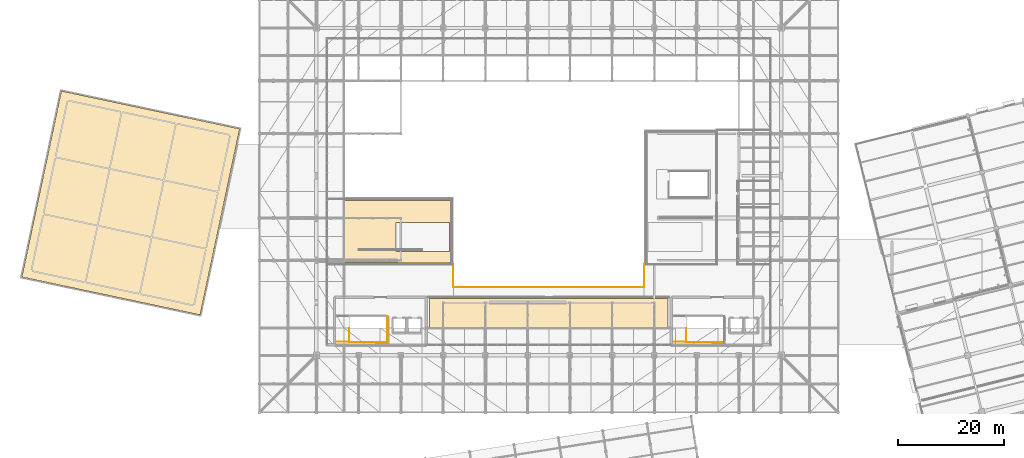
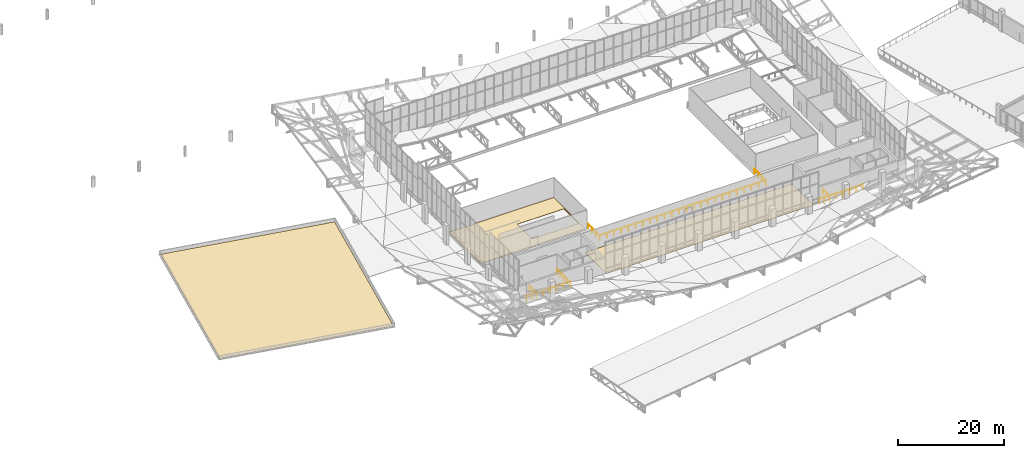
# One storey, part 130 of 137: 8 railings, 3 coverings.
"""IFC4 building model written with IfcOpenShell, lengths in metres."""

from ifc_helpers import new_model, si_unit, direction, frame, origin, origin_2d, place, context, subcontext, project, spatial, polyline, rectangle, outline, extrude, material, layer, layer_set, type_object, element, save


model = new_model("IFC4")

# Units and contexts
model_context = context("Model", 3, precision=1e-05, world=origin(), true_north=direction((0.0, 1.0)))
body_context = subcontext(model_context, "Body", "Model", "MODEL_VIEW")
ifc_project = project(units=[si_unit("LENGTHUNIT", "METRE"), si_unit("AREAUNIT", "SQUARE_METRE"), si_unit("VOLUMEUNIT", "CUBIC_METRE"), si_unit("PLANEANGLEUNIT", "RADIAN"), si_unit("MASSUNIT", "GRAM", prefix="KILO")], contexts=[model_context])

# Site, building, storey
site_placement = place(None, origin())
site = spatial("IfcSite", under=ifc_project, at=site_placement, CompositionType="ELEMENT")
building_placement = place(site_placement, origin())
building = spatial("IfcBuilding", under=site, at=building_placement, Name="Khorjan Park Terminus", CompositionType="ELEMENT")
storey_placement = place(building_placement, frame((0.0, 0.0, 11.4)))
storey = spatial("IfcBuildingStorey", under=building, at=storey_placement, Name="L02", CompositionType="ELEMENT", Elevation=11.4)

# Coverings
ifc_material_1 = material(Name="Polished Desert Limestone Terrazzo", Category="masonry")
ifc_layer_1 = layer(ifc_material_1, 0.035)
ifc_layer_set_1 = layer_set([ifc_layer_1], Name="Polished Desert Limestone Terrazzo")
covering_type_1 = type_object("IfcCoveringType", Name="CV-FLR-TRZ", PredefinedType="FLOORING", material=ifc_layer_set_1)
covering_1_placement = place(storey_placement, origin())
element("IfcCovering", 1, at=covering_1_placement, inside=storey, type_object=covering_type_1, Name="Architectural floor finish FF-TRZ (L02-SLNG)", PredefinedType="FLOORING", context=body_context, shape_type="SweptSolid", body=[
    extrude(outline(polyline([(114.55, 36.75), (114.55, 28.65), (69.45, 28.65), (69.45, 36.75), (114.55, 36.75)])), origin(), (0.0, 0.0, 1.0), 0.035),
])
covering_2_placement = place(storey_placement, origin())
element("IfcCovering", 2, at=covering_2_placement, inside=storey, type_object=covering_type_1, Name="Architectural floor finish FF-TRZ (L02-VIPW)", PredefinedType="FLOORING", context=body_context, shape_type="SweptSolid", body=[
    extrude(outline(polyline([(73.35, 55.35), (73.35, 43.45), (50.65, 43.45), (50.65, 55.35), (73.35, 55.35)]), holes=[polyline([(73.17, 45.63), (73.17, 51.17), (63.03, 51.17), (63.03, 45.63), (73.17, 45.63)])]), origin(), (0.0, 0.0, 1.0), 0.035),
])
ifc_material_2 = material(Name="TPO Cool-Roof Membrane")
ifc_layer_2 = layer(ifc_material_2, 0.04)
ifc_layer_set_2 = layer_set([ifc_layer_2], Name="TPO Cool-Roof Membrane")
covering_type_2 = type_object("IfcCoveringType", Name="CV-RF-MEM", PredefinedType="ROOFING", material=ifc_layer_set_2)
covering_3_placement = place(storey_placement, frame((0.0, 0.0, 0.15)))
element("IfcCovering", 3, at=covering_3_placement, inside=storey, type_object=covering_type_2, Name="Pavilion cool-roof waterproofing membrane RF-MB1", PredefinedType="ROOFING", context=body_context, shape_type="SweptSolid", body=[
    extrude(outline(polyline([(-7.7791, 40.8446), (25.967, 33.6717), (33.4518, 68.885), (-0.2943, 76.058), (-7.7791, 40.8446)])), origin(), (0.0, 0.0, 1.0), 0.04),
])

# Railings
ifc_material_3 = material(Name="Steel S355", Category="steel")
railing_type_1 = type_object("IfcRailingType", Name="GR-112", PredefinedType="GUARDRAIL", material=ifc_material_3)
railing_1_placement = place(storey_placement, frame((54.21, 28.55, 0.0)))
element("IfcRailing", 4, at=railing_1_placement, inside=storey, type_object=railing_type_1, Name="L02 ST-01 top well guard 1", PredefinedType="GUARDRAIL", context=body_context, shape_type="SweptSolid", body=[
    extrude(rectangle(XDim=0.048, YDim=0.048, at=origin_2d()), frame((0.0, 0.0, 1.096), z_axis=(0.0, 1.0, 0.0), x_axis=(-1.0, 0.0, 0.0)), (0.0, 0.0, 1.0), 2.56),
    extrude(rectangle(XDim=0.042, YDim=0.042, at=origin_2d()), origin(), (0.0, 0.0, 1.0), 1.072),
    extrude(rectangle(XDim=0.042, YDim=0.042, at=origin_2d()), frame((0.0, 1.28, 0.0)), (0.0, 0.0, 1.0), 1.072),
    extrude(rectangle(XDim=0.042, YDim=0.042, at=origin_2d()), frame((0.0, 2.56, 0.0)), (0.0, 0.0, 1.0), 1.072),
])
railing_2_placement = place(storey_placement, frame((54.16, 28.5, 0.0)))
element("IfcRailing", 5, at=railing_2_placement, inside=storey, type_object=railing_type_1, Name="L02 ST-01 top well guard 2", PredefinedType="GUARDRAIL", context=body_context, shape_type="SweptSolid", body=[
    extrude(rectangle(XDim=0.048, YDim=0.048, at=origin_2d()), frame((0.0, 0.0, 1.096), z_axis=(1.0, 0.0, 0.0), x_axis=(0.0, 1.0, 0.0)), (0.0, 0.0, 1.0), 7.34),
    extrude(rectangle(XDim=0.042, YDim=0.042, at=origin_2d()), origin(), (0.0, 0.0, 1.0), 1.072),
    extrude(rectangle(XDim=0.042, YDim=0.042, at=origin_2d()), frame((1.468, 0.0, 0.0)), (0.0, 0.0, 1.0), 1.072),
    extrude(rectangle(XDim=0.042, YDim=0.042, at=origin_2d()), frame((2.936, 0.0, 0.0)), (0.0, 0.0, 1.0), 1.072),
    extrude(rectangle(XDim=0.042, YDim=0.042, at=origin_2d()), frame((4.404, 0.0, 0.0)), (0.0, 0.0, 1.0), 1.072),
    extrude(rectangle(XDim=0.042, YDim=0.042, at=origin_2d()), frame((5.872, 0.0, 0.0)), (0.0, 0.0, 1.0), 1.072),
    extrude(rectangle(XDim=0.042, YDim=0.042, at=origin_2d()), frame((7.34, 0.0, 0.0)), (0.0, 0.0, 1.0), 1.072),
])
railing_3_placement = place(storey_placement, frame((61.45, 28.45, 0.0)))
element("IfcRailing", 6, at=railing_3_placement, inside=storey, type_object=railing_type_1, Name="L02 ST-01 top well guard 3", PredefinedType="GUARDRAIL", context=body_context, shape_type="SweptSolid", body=[
    extrude(rectangle(XDim=0.048, YDim=0.048, at=origin_2d()), frame((0.0, 0.0, 1.096), z_axis=(0.0, 1.0, 0.0), x_axis=(-1.0, 0.0, 0.0)), (0.0, 0.0, 1.0), 4.96),
    extrude(rectangle(XDim=0.042, YDim=0.042, at=origin_2d()), origin(), (0.0, 0.0, 1.0), 1.072),
    extrude(rectangle(XDim=0.042, YDim=0.042, at=origin_2d()), frame((0.0, 1.24, 0.0)), (0.0, 0.0, 1.0), 1.072),
    extrude(rectangle(XDim=0.042, YDim=0.042, at=origin_2d()), frame((0.0, 2.48, 0.0)), (0.0, 0.0, 1.0), 1.072),
    extrude(rectangle(XDim=0.042, YDim=0.042, at=origin_2d()), frame((0.0, 3.72, 0.0)), (0.0, 0.0, 1.0), 1.072),
    extrude(rectangle(XDim=0.042, YDim=0.042, at=origin_2d()), frame((0.0, 4.96, 0.0)), (0.0, 0.0, 1.0), 1.072),
])
railing_4_placement = place(storey_placement, frame((52.0, 28.6, 0.0)))
element("IfcRailing", 7, at=railing_4_placement, inside=storey, type_object=railing_type_1, Name="L02 ST-01 top well guard 4", PredefinedType="GUARDRAIL", context=body_context, shape_type="SweptSolid", body=[
    extrude(rectangle(XDim=0.048, YDim=0.048, at=origin_2d()), frame((0.0, 0.0, 1.096), z_axis=(1.0, 0.0, 0.0), x_axis=(0.0, 1.0, 0.0)), (0.0, 0.0, 1.0), 2.26),
    extrude(rectangle(XDim=0.042, YDim=0.042, at=origin_2d()), origin(), (0.0, 0.0, 1.0), 1.072),
    extrude(rectangle(XDim=0.042, YDim=0.042, at=origin_2d()), frame((1.13, 0.0, 0.0)), (0.0, 0.0, 1.0), 1.072),
    extrude(rectangle(XDim=0.042, YDim=0.042, at=origin_2d()), frame((2.26, 0.0, 0.0)), (0.0, 0.0, 1.0), 1.072),
])
railing_5_placement = place(storey_placement, frame((118.01, 28.55, 0.0)))
element("IfcRailing", 8, at=railing_5_placement, inside=storey, type_object=railing_type_1, Name="L02 ST-02 top well guard 1", PredefinedType="GUARDRAIL", context=body_context, shape_type="SweptSolid", body=[
    extrude(rectangle(XDim=0.048, YDim=0.048, at=origin_2d()), frame((0.0, 0.0, 1.096), z_axis=(0.0, 1.0, 0.0), x_axis=(-1.0, 0.0, 0.0)), (0.0, 0.0, 1.0), 2.56),
    extrude(rectangle(XDim=0.042, YDim=0.042, at=origin_2d()), origin(), (0.0, 0.0, 1.0), 1.072),
    extrude(rectangle(XDim=0.042, YDim=0.042, at=origin_2d()), frame((0.0, 1.28, 0.0)), (0.0, 0.0, 1.0), 1.072),
    extrude(rectangle(XDim=0.042, YDim=0.042, at=origin_2d()), frame((0.0, 2.56, 0.0)), (0.0, 0.0, 1.0), 1.072),
])
railing_6_placement = place(storey_placement, frame((117.96, 28.5, 0.0)))
element("IfcRailing", 9, at=railing_6_placement, inside=storey, type_object=railing_type_1, Name="L02 ST-02 top well guard 2", PredefinedType="GUARDRAIL", context=body_context, shape_type="SweptSolid", body=[
    extrude(rectangle(XDim=0.048, YDim=0.048, at=origin_2d()), frame((0.0, 0.0, 1.096), z_axis=(1.0, 0.0, 0.0), x_axis=(0.0, 1.0, 0.0)), (0.0, 0.0, 1.0), 7.34),
    extrude(rectangle(XDim=0.042, YDim=0.042, at=origin_2d()), origin(), (0.0, 0.0, 1.0), 1.072),
    extrude(rectangle(XDim=0.042, YDim=0.042, at=origin_2d()), frame((1.468, 0.0, 0.0)), (0.0, 0.0, 1.0), 1.072),
    extrude(rectangle(XDim=0.042, YDim=0.042, at=origin_2d()), frame((2.936, 0.0, 0.0)), (0.0, 0.0, 1.0), 1.072),
    extrude(rectangle(XDim=0.042, YDim=0.042, at=origin_2d()), frame((4.404, 0.0, 0.0)), (0.0, 0.0, 1.0), 1.072),
    extrude(rectangle(XDim=0.042, YDim=0.042, at=origin_2d()), frame((5.872, 0.0, 0.0)), (0.0, 0.0, 1.0), 1.072),
    extrude(rectangle(XDim=0.042, YDim=0.042, at=origin_2d()), frame((7.34, 0.0, 0.0)), (0.0, 0.0, 1.0), 1.072),
])
railing_7_placement = place(storey_placement, frame((115.8, 28.6, 0.0)))
element("IfcRailing", 10, at=railing_7_placement, inside=storey, type_object=railing_type_1, Name="L02 ST-02 top well guard 4", PredefinedType="GUARDRAIL", context=body_context, shape_type="SweptSolid", body=[
    extrude(rectangle(XDim=0.048, YDim=0.048, at=origin_2d()), frame((0.0, 0.0, 1.096), z_axis=(1.0, 0.0, 0.0), x_axis=(0.0, 1.0, 0.0)), (0.0, 0.0, 1.0), 2.26),
    extrude(rectangle(XDim=0.042, YDim=0.042, at=origin_2d()), origin(), (0.0, 0.0, 1.0), 1.072),
    extrude(rectangle(XDim=0.042, YDim=0.042, at=origin_2d()), frame((1.13, 0.0, 0.0)), (0.0, 0.0, 1.0), 1.072),
    extrude(rectangle(XDim=0.042, YDim=0.042, at=origin_2d()), frame((2.26, 0.0, 0.0)), (0.0, 0.0, 1.0), 1.072),
])
ifc_material_4 = material(Name="Anodized Bronze Aluminium & Laminated Glass", Category="aluminium")
railing_type_2 = type_object("IfcRailingType", Name="GR-BAL", PredefinedType="BALUSTRADE", material=ifc_material_4)
railing_8_placement = place(storey_placement, frame((73.9, 43.2, 0.0)))
element("IfcRailing", 11, at=railing_8_placement, inside=storey, type_object=railing_type_2, Name="Perimeter safety guard GB-112 (L02-76)", PredefinedType="BALUSTRADE", context=body_context, shape_type="SweptSolid", body=[
    extrude(rectangle(XDim=0.048, YDim=0.048, at=origin_2d()), frame((0.0, 0.0, 1.096), z_axis=(0.0, -1.0, 0.0), x_axis=(1.0, 0.0, 0.0)), (0.0, 0.0, 1.0), 4.3),
    extrude(rectangle(XDim=0.048, YDim=0.048, at=origin_2d()), frame((0.0, -4.3, 1.096), z_axis=(1.0, 0.0, 0.0), x_axis=(0.0, 1.0, 0.0)), (0.0, 0.0, 1.0), 36.2),
    extrude(rectangle(XDim=0.048, YDim=0.048, at=origin_2d()), frame((36.2, -4.3, 1.096), z_axis=(0.0, 1.0, 0.0), x_axis=(-1.0, 0.0, 0.0)), (0.0, 0.0, 1.0), 4.3),
    extrude(rectangle(XDim=0.042, YDim=0.042, at=origin_2d()), origin(), (0.0, 0.0, 1.0), 1.072),
    extrude(rectangle(XDim=0.042, YDim=0.042, at=origin_2d()), frame((0.0, -1.4333, 0.0)), (0.0, 0.0, 1.0), 1.072),
    extrude(rectangle(XDim=0.042, YDim=0.042, at=origin_2d()), frame((0.0, -2.8667, 0.0)), (0.0, 0.0, 1.0), 1.072),
    extrude(rectangle(XDim=0.042, YDim=0.042, at=origin_2d()), frame((0.0, -4.3, 0.0)), (0.0, 0.0, 1.0), 1.072),
    extrude(rectangle(XDim=0.042, YDim=0.042, at=origin_2d()), frame((1.5739, -4.3, 0.0)), (0.0, 0.0, 1.0), 1.072),
    extrude(rectangle(XDim=0.042, YDim=0.042, at=origin_2d()), frame((3.1478, -4.3, 0.0)), (0.0, 0.0, 1.0), 1.072),
    extrude(rectangle(XDim=0.042, YDim=0.042, at=origin_2d()), frame((4.7217, -4.3, 0.0)), (0.0, 0.0, 1.0), 1.072),
    extrude(rectangle(XDim=0.042, YDim=0.042, at=origin_2d()), frame((6.2957, -4.3, 0.0)), (0.0, 0.0, 1.0), 1.072),
    extrude(rectangle(XDim=0.042, YDim=0.042, at=origin_2d()), frame((7.8696, -4.3, 0.0)), (0.0, 0.0, 1.0), 1.072),
    extrude(rectangle(XDim=0.042, YDim=0.042, at=origin_2d()), frame((9.4435, -4.3, 0.0)), (0.0, 0.0, 1.0), 1.072),
    extrude(rectangle(XDim=0.042, YDim=0.042, at=origin_2d()), frame((11.0174, -4.3, 0.0)), (0.0, 0.0, 1.0), 1.072),
    extrude(rectangle(XDim=0.042, YDim=0.042, at=origin_2d()), frame((12.5913, -4.3, 0.0)), (0.0, 0.0, 1.0), 1.072),
    extrude(rectangle(XDim=0.042, YDim=0.042, at=origin_2d()), frame((14.1652, -4.3, 0.0)), (0.0, 0.0, 1.0), 1.072),
    extrude(rectangle(XDim=0.042, YDim=0.042, at=origin_2d()), frame((15.7391, -4.3, 0.0)), (0.0, 0.0, 1.0), 1.072),
    extrude(rectangle(XDim=0.042, YDim=0.042, at=origin_2d()), frame((17.313, -4.3, 0.0)), (0.0, 0.0, 1.0), 1.072),
    extrude(rectangle(XDim=0.042, YDim=0.042, at=origin_2d()), frame((18.887, -4.3, 0.0)), (0.0, 0.0, 1.0), 1.072),
    extrude(rectangle(XDim=0.042, YDim=0.042, at=origin_2d()), frame((20.4609, -4.3, 0.0)), (0.0, 0.0, 1.0), 1.072),
    extrude(rectangle(XDim=0.042, YDim=0.042, at=origin_2d()), frame((22.0348, -4.3, 0.0)), (0.0, 0.0, 1.0), 1.072),
    extrude(rectangle(XDim=0.042, YDim=0.042, at=origin_2d()), frame((23.6087, -4.3, 0.0)), (0.0, 0.0, 1.0), 1.072),
    extrude(rectangle(XDim=0.042, YDim=0.042, at=origin_2d()), frame((25.1826, -4.3, 0.0)), (0.0, 0.0, 1.0), 1.072),
    extrude(rectangle(XDim=0.042, YDim=0.042, at=origin_2d()), frame((26.7565, -4.3, 0.0)), (0.0, 0.0, 1.0), 1.072),
    extrude(rectangle(XDim=0.042, YDim=0.042, at=origin_2d()), frame((28.3304, -4.3, 0.0)), (0.0, 0.0, 1.0), 1.072),
    extrude(rectangle(XDim=0.042, YDim=0.042, at=origin_2d()), frame((29.9043, -4.3, 0.0)), (0.0, 0.0, 1.0), 1.072),
    extrude(rectangle(XDim=0.042, YDim=0.042, at=origin_2d()), frame((31.4783, -4.3, 0.0)), (0.0, 0.0, 1.0), 1.072),
    extrude(rectangle(XDim=0.042, YDim=0.042, at=origin_2d()), frame((33.0522, -4.3, 0.0)), (0.0, 0.0, 1.0), 1.072),
    extrude(rectangle(XDim=0.042, YDim=0.042, at=origin_2d()), frame((34.6261, -4.3, 0.0)), (0.0, 0.0, 1.0), 1.072),
    extrude(rectangle(XDim=0.042, YDim=0.042, at=origin_2d()), frame((36.2, -4.3, 0.0)), (0.0, 0.0, 1.0), 1.072),
    extrude(rectangle(XDim=0.042, YDim=0.042, at=origin_2d()), frame((36.2, -2.8667, 0.0)), (0.0, 0.0, 1.0), 1.072),
    extrude(rectangle(XDim=0.042, YDim=0.042, at=origin_2d()), frame((36.2, -1.4333, 0.0)), (0.0, 0.0, 1.0), 1.072),
    extrude(rectangle(XDim=0.042, YDim=0.042, at=origin_2d()), frame((36.2, 0.0, 0.0)), (0.0, 0.0, 1.0), 1.072),
])

save(model, "model.ifc")
